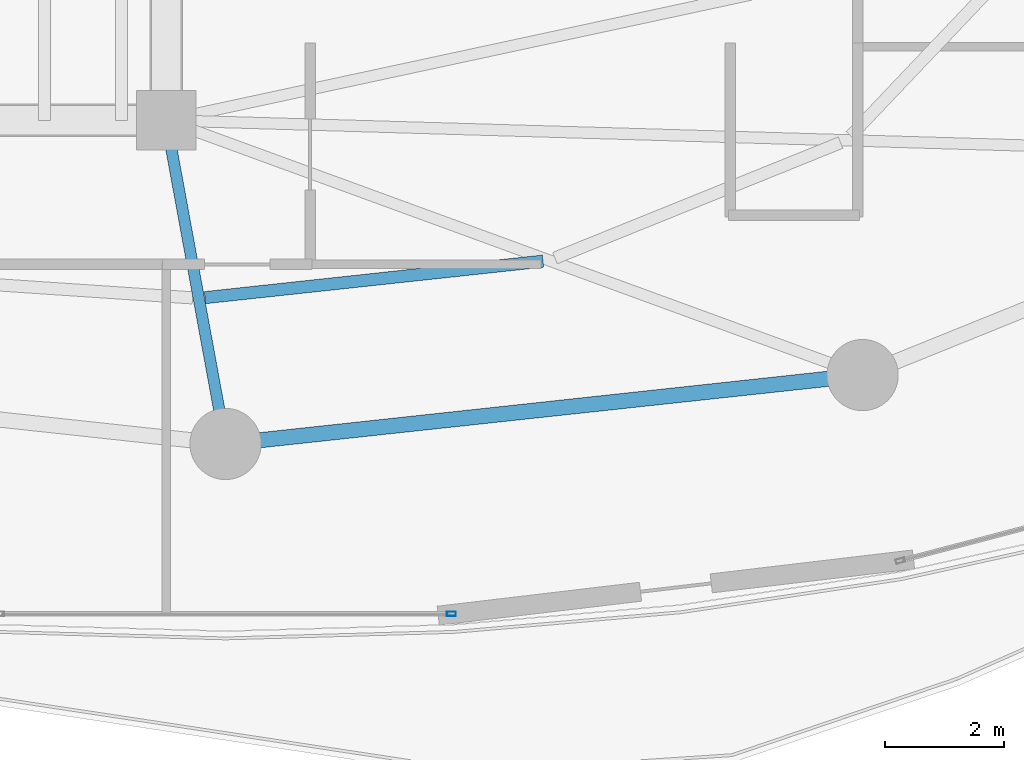
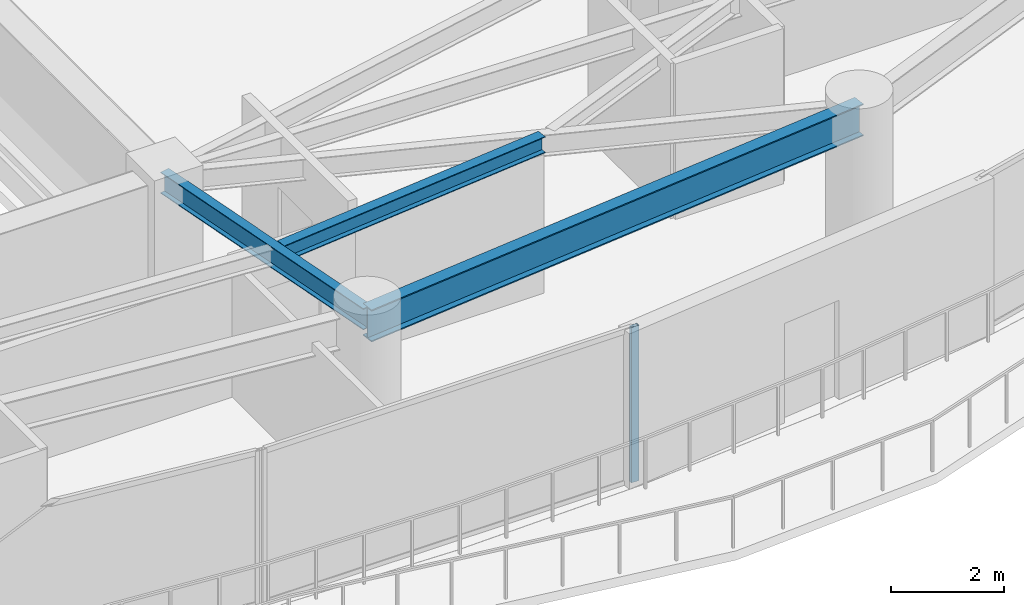
# One storey, part 10 of 34: 3 beams, 1 member, 1 element without a shape of its own.
"""IFC4 building model written with IfcOpenShell, lengths in metres."""

from ifc_helpers import new_model, si_unit, direction, frame, origin, origin_2d, place, context, subcontext, project, spatial, hollow_rectangle, i_section, extrude, material, layer, layer_set, material_profile, profile_set, type_object, element, aggregate, save


model = new_model("IFC4")

# Units and contexts
model_context = context("Model", 3, precision=1e-05, world=origin(), true_north=direction((0.0, 1.0)))
body_context = subcontext(model_context, "Body", "Model", "MODEL_VIEW")
ifc_project = project(units=[si_unit("LENGTHUNIT", "METRE"), si_unit("AREAUNIT", "SQUARE_METRE"), si_unit("VOLUMEUNIT", "CUBIC_METRE"), si_unit("PLANEANGLEUNIT", "RADIAN"), si_unit("MASSUNIT", "GRAM", prefix="KILO")], contexts=[model_context])

# Site, building, storey
site_placement = place(None, origin())
site = spatial("IfcSite", under=ifc_project, at=site_placement, CompositionType="ELEMENT")
building_placement = place(site_placement, origin())
building = spatial("IfcBuilding", under=site, at=building_placement, Name="Kazevale Care Tower and Concert Hall", CompositionType="ELEMENT")
storey_placement = place(building_placement, frame((0.0, 0.0, 163.800048828125)))
storey = spatial("IfcBuildingStorey", under=building, at=storey_placement, Name="L43", CompositionType="ELEMENT", Elevation=163.800048828125)

# Curtain wall, member
ifc_material_1 = material(Name="Aluminium 6063-T6 and Low-E Glass", Category="aluminium")
ifc_layer = layer(ifc_material_1, 0.179931640625)
ifc_layer_set = layer_set([ifc_layer], Name="Aluminium 6063-T6 and Low-E Glass")
curtain_wall_type = type_object("IfcCurtainWallType", Name="Sheltered Concave Balcony Curtain Wall CW-5", PredefinedType="NOTDEFINED", material=ifc_layer_set)
curtain_wall_placement = place(storey_placement, origin())
curtain_wall = element("IfcCurtainWall", 1, at=curtain_wall_placement, inside=storey, type_object=curtain_wall_type, Name="cw:L43:f06", PredefinedType="NOTDEFINED")
ifc_material_2 = material(Name="Aluminium 6063-T6", Category="aluminium")
ifc_material_profile_1 = material_profile(ifc_material_2, hollow_rectangle(XDim=0.074951171875, YDim=0.14990234375, WallThickness=0.00390625, at=origin_2d()), Name="ALU75x150x4")
ifc_profile_set_1 = profile_set([ifc_material_profile_1], Name="Aluminium 6063-T6")
member_type = type_object("IfcMemberType", Name="CW-5 Mullion ALU75x150x4", PredefinedType="MULLION", material=ifc_profile_set_1)
member_placement = place(storey_placement, frame((48.803466796875, 15.2890625, 0.0), z_axis=(0.0, 0.0, 1.0), x_axis=(0.0, -1.0, 0.0)))
member = element("IfcMember", 2, at=member_placement, type_object=member_type, Name="CW-5 mullion 1", PredefinedType="MULLION", context=body_context, shape_type="SweptSolid", body=[
    extrude(hollow_rectangle(XDim=0.074951171875, YDim=0.14990234375, WallThickness=0.00390625, at=origin_2d()), origin(), (0.0, 0.0, 1.0), 3.35986328125),
])
aggregate(curtain_wall, [member])

# Beams
ifc_material_3 = material(Name="Steel ASTM A572 Gr 50", Category="steel")
ifc_material_profile_2 = material_profile(ifc_material_3, i_section(OverallWidth=0.19091796875, OverallDepth=0.4599609375, WebThickness=0.010009765625, FlangeThickness=0.01611328125, at=origin_2d()), Name="W460x82")
ifc_profile_set_2 = profile_set([ifc_material_profile_2], Name="Steel ASTM A572 Gr 50")
beam_type_1 = type_object("IfcBeamType", Name="Radial Floor Beam W460x82", PredefinedType="BEAM", material=ifc_profile_set_2)
beam_1_placement = place(storey_placement, frame((44.0, 23.60009765625, 3.1298828125), z_axis=(0.180467114023, -0.983581018908, 0.0), x_axis=(0.983581018908, 0.180467114023, 0.0)))
element("IfcBeam", 3, at=beam_1_placement, inside=storey, type_object=beam_type_1, Name="beam:L43:rad:13", PredefinedType="BEAM", context=body_context, shape_type="SweptSolid", body=[
    extrude(i_section(OverallWidth=0.19091796875, OverallDepth=0.4599609375, WebThickness=0.010009765625, FlangeThickness=0.01611328125, at=origin_2d()), origin(), (0.0, 0.0, 1.0), 5.541259765625),
])
ifc_material_profile_3 = material_profile(ifc_material_3, i_section(OverallWidth=0.205078125, OverallDepth=0.35400390625, WebThickness=0.009521484375, FlangeThickness=0.016845703125, at=origin_2d()), Name="W360x79")
ifc_profile_set_3 = profile_set([ifc_material_profile_3], Name="Steel ASTM A572 Gr 50")
beam_type_2 = type_object("IfcBeamType", Name="Secondary Floor Joist W360x79", PredefinedType="JOIST", material=ifc_profile_set_3)
beam_2_placement = place(storey_placement, frame((44.654052734375, 20.614013671875, 3.182861328125), z_axis=(0.994215541126, 0.107403248482, 0.0), x_axis=(-0.107403248482, 0.994215541126, 0.0)))
element("IfcBeam", 4, at=beam_2_placement, inside=storey, type_object=beam_type_2, Name="beam:L43:joist:13", PredefinedType="JOIST", context=body_context, shape_type="SweptSolid", body=[
    extrude(i_section(OverallWidth=0.205078125, OverallDepth=0.35400390625, WebThickness=0.009521484375, FlangeThickness=0.016845703125, at=origin_2d()), origin(), (0.0, 0.0, 1.0), 5.72607421875),
])
ifc_material_profile_4 = material_profile(ifc_material_3, i_section(OverallWidth=0.256103515625, OverallDepth=0.693115234375, WebThickness=0.014404296875, FlangeThickness=0.023681640625, at=origin_2d()), Name="W690x170")
ifc_profile_set_4 = profile_set([ifc_material_profile_4], Name="Steel ASTM A572 Gr 50")
beam_type_3 = type_object("IfcBeamType", Name="Waist Ring Beam W690x170", PredefinedType="BEAM", material=ifc_profile_set_4)
beam_3_placement = place(storey_placement, frame((45.0, 18.14990234375, 3.013427734375), z_axis=(0.994205479487, 0.107496346724, 0.0), x_axis=(-0.107496346724, 0.994205479487, 0.0)))
element("IfcBeam", 5, at=beam_3_placement, inside=storey, type_object=beam_type_3, Name="beam:L43:ring:13", PredefinedType="BEAM", context=body_context, shape_type="SweptSolid", body=[
    extrude(i_section(OverallWidth=0.256103515625, OverallDepth=0.693115234375, WebThickness=0.014404296875, FlangeThickness=0.023681640625, at=origin_2d()), origin(), (0.0, 0.0, 1.0), 10.79248046875),
])

save(model, "model.ifc")
